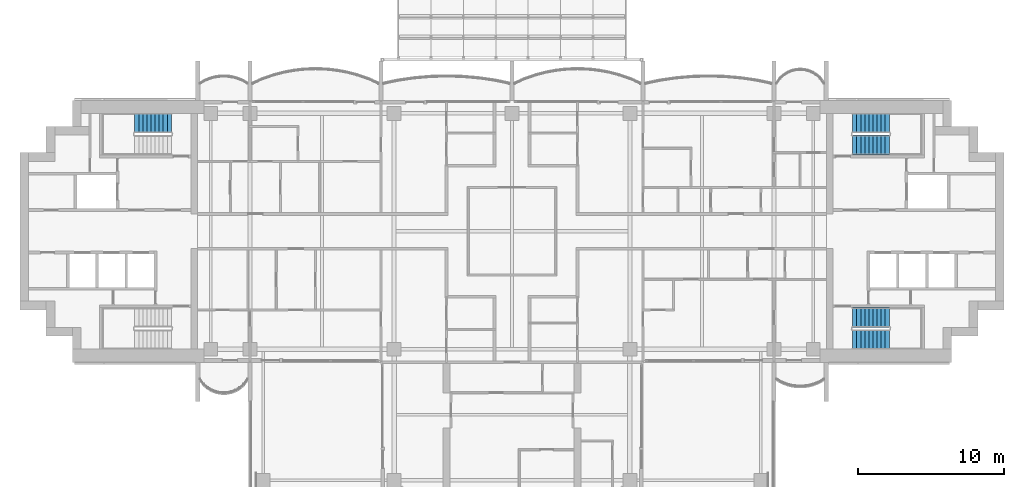
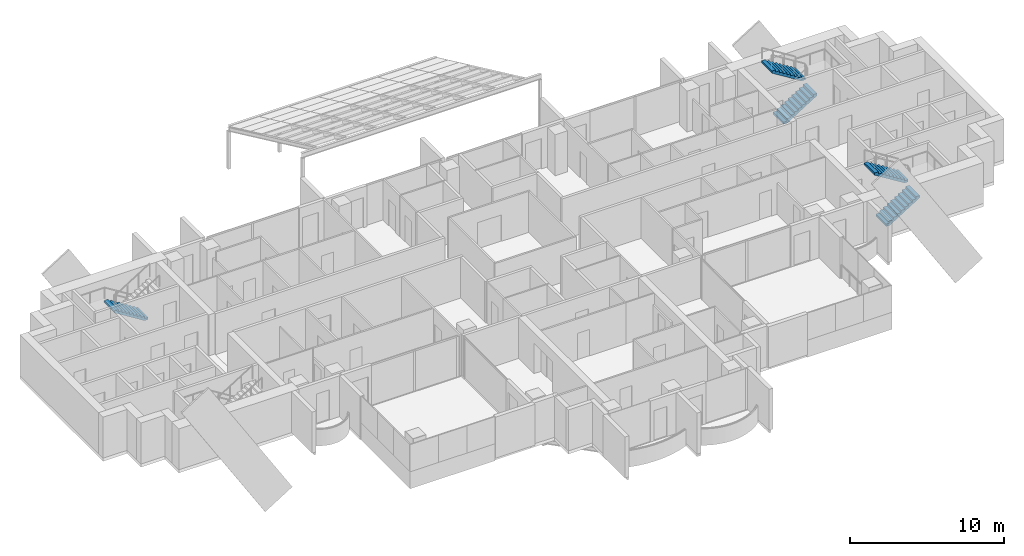
# One storey, part 16 of 20: 5 stair flights, 3 elements without a shape of their own.
"""IFC4 building model written with IfcOpenShell, lengths in metres."""

from ifc_helpers import new_model, si_unit, direction, frame, origin, place, context, subcontext, project, spatial, polyline, outline, extrude, material, type_object, element, aggregate, save


model = new_model("IFC4")

# Units and contexts
model_context = context("Model", 3, precision=1e-05, world=origin(), true_north=direction((0.0, 1.0)))
body_context = subcontext(model_context, "Body", "Model", "MODEL_VIEW")
ifc_project = project(units=[si_unit("LENGTHUNIT", "METRE"), si_unit("AREAUNIT", "SQUARE_METRE"), si_unit("VOLUMEUNIT", "CUBIC_METRE"), si_unit("PLANEANGLEUNIT", "RADIAN"), si_unit("MASSUNIT", "GRAM", prefix="KILO")], contexts=[model_context])

# Site, building, storey
site_placement = place(None, origin())
site = spatial("IfcSite", under=ifc_project, at=site_placement, CompositionType="ELEMENT")
building_placement = place(site_placement, origin())
building = spatial("IfcBuilding", under=site, at=building_placement, Name="Perihelion Cross Residences", CompositionType="ELEMENT")
storey_placement = place(building_placement, frame((0.0, 0.0, 170.10009765625)))
storey = spatial("IfcBuildingStorey", under=building, at=storey_placement, Name="L41", CompositionType="ELEMENT", Elevation=170.10009765625)

# Stair, stair flights
ifc_material_1 = material(Name="Concrete C40/50", Category="concrete")
stair_type = type_object("IfcStairType", Name="Exit stair, half-turn", PredefinedType="HALF_TURN_STAIR", material=ifc_material_1)
stair_1_placement = place(storey_placement, origin())
stair_1 = element("IfcStair", 1, at=stair_1_placement, inside=storey, type_object=stair_type, Name="L41 East core exit stair 1", PredefinedType="HALF_TURN_STAIR")
ifc_material_2 = material(Name="Concrete C40/50", Category="concrete")
stair_flight_type = type_object("IfcStairFlightType", Name="Exit stair flight", PredefinedType="STRAIGHT", material=ifc_material_2)
stair_flight_1_placement = place(storey_placement, frame((23.39990234375, 5.925048828125, 0.0), z_axis=(0.0, 0.0, 1.0), x_axis=(1.0, 0.0, 0.0)))
stair_flight_1 = element("IfcStairFlight", 2, at=stair_flight_1_placement, type_object=stair_flight_type, Name="ST-E1 flight 1", NumberOfRisers=10, NumberOfTreads=9, PredefinedType="STRAIGHT", RiserHeight=0.175, TreadLength=0.28, context=body_context, shape_type="SweptSolid", body=[
    extrude(outline(polyline([(0.0, 0.0), (0.0, 0.175048828125), (0.280029296875, 0.175048828125), (0.280029296875, 0.35009765625), (0.56005859375, 0.35009765625), (0.56005859375, 0.52490234375), (0.840087890625, 0.52490234375), (0.840087890625, 0.699951171875), (1.1201171875, 0.699951171875), (1.1201171875, 0.875), (1.39990234375, 0.875), (1.39990234375, 1.050048828125), (1.679931640625, 1.050048828125), (1.679931640625, 1.22509765625), (1.9599609375, 1.22509765625), (1.9599609375, 1.39990234375), (2.239990234375, 1.39990234375), (2.239990234375, 1.574951171875), (2.52001953125, 1.574951171875), (2.52001953125, 1.75), (2.52001953125, 1.398193359375), (0.28271484375, 0.0), (0.0, 0.0)])), frame((0.0, 0.675048828125, 0.0), z_axis=(0.0, -1.0, 0.0), x_axis=(1.0, 0.0, 0.0)), (0.0, 0.0, 1.0), 1.35009765625),
])
stair_flight_2_placement = place(storey_placement, frame((25.919921875, 7.425048828125, 1.75), z_axis=(0.0, 0.0, 1.0), x_axis=(-1.0, 0.0, 0.0)))
stair_flight_2 = element("IfcStairFlight", 3, at=stair_flight_2_placement, type_object=stair_flight_type, Name="ST-E1 flight 2", NumberOfRisers=10, NumberOfTreads=9, PredefinedType="STRAIGHT", RiserHeight=0.175, TreadLength=0.28, context=body_context, shape_type="SweptSolid", body=[
    extrude(outline(polyline([(0.0, 0.0), (0.0, 0.175048828125), (0.280029296875, 0.175048828125), (0.280029296875, 0.35009765625), (0.56005859375, 0.35009765625), (0.56005859375, 0.52490234375), (0.840087890625, 0.52490234375), (0.840087890625, 0.699951171875), (1.1201171875, 0.699951171875), (1.1201171875, 0.875), (1.39990234375, 0.875), (1.39990234375, 1.050048828125), (1.679931640625, 1.050048828125), (1.679931640625, 1.22509765625), (1.9599609375, 1.22509765625), (1.9599609375, 1.39990234375), (2.239990234375, 1.39990234375), (2.239990234375, 1.574951171875), (2.52001953125, 1.574951171875), (2.52001953125, 1.75), (2.52001953125, 1.398193359375), (0.28271484375, 0.0), (0.0, 0.0)])), frame((0.0, 0.675048828125, 0.0), z_axis=(0.0, -1.0, 0.0), x_axis=(1.0, 0.0, 0.0)), (0.0, 0.0, 1.0), 1.35009765625),
])
aggregate(stair_1, [stair_flight_1, stair_flight_2])

stair_2_placement = place(storey_placement, origin())
stair_2 = element("IfcStair", 4, at=stair_2_placement, inside=storey, type_object=stair_type, Name="L41 East core exit stair 2", PredefinedType="HALF_TURN_STAIR")
stair_flight_3_placement = place(storey_placement, frame((23.39990234375, -7.425048828125, 0.0), z_axis=(0.0, 0.0, 1.0), x_axis=(1.0, 0.0, 0.0)))
stair_flight_3 = element("IfcStairFlight", 5, at=stair_flight_3_placement, type_object=stair_flight_type, Name="ST-E2 flight 1", NumberOfRisers=10, NumberOfTreads=9, PredefinedType="STRAIGHT", RiserHeight=0.175, TreadLength=0.28, context=body_context, shape_type="SweptSolid", body=[
    extrude(outline(polyline([(0.0, 0.0), (0.0, 0.175048828125), (0.280029296875, 0.175048828125), (0.280029296875, 0.35009765625), (0.56005859375, 0.35009765625), (0.56005859375, 0.52490234375), (0.840087890625, 0.52490234375), (0.840087890625, 0.699951171875), (1.1201171875, 0.699951171875), (1.1201171875, 0.875), (1.39990234375, 0.875), (1.39990234375, 1.050048828125), (1.679931640625, 1.050048828125), (1.679931640625, 1.22509765625), (1.9599609375, 1.22509765625), (1.9599609375, 1.39990234375), (2.239990234375, 1.39990234375), (2.239990234375, 1.574951171875), (2.52001953125, 1.574951171875), (2.52001953125, 1.75), (2.52001953125, 1.398193359375), (0.28271484375, 0.0), (0.0, 0.0)])), frame((0.0, 0.675048828125, 0.0), z_axis=(0.0, -1.0, 0.0), x_axis=(1.0, 0.0, 0.0)), (0.0, 0.0, 1.0), 1.35009765625),
])
stair_flight_4_placement = place(storey_placement, frame((25.919921875, -5.925048828125, 1.75), z_axis=(0.0, 0.0, 1.0), x_axis=(-1.0, 0.0, 0.0)))
stair_flight_4 = element("IfcStairFlight", 6, at=stair_flight_4_placement, type_object=stair_flight_type, Name="ST-E2 flight 2", NumberOfRisers=10, NumberOfTreads=9, PredefinedType="STRAIGHT", RiserHeight=0.175, TreadLength=0.28, context=body_context, shape_type="SweptSolid", body=[
    extrude(outline(polyline([(0.0, 0.0), (0.0, 0.175048828125), (0.280029296875, 0.175048828125), (0.280029296875, 0.35009765625), (0.56005859375, 0.35009765625), (0.56005859375, 0.52490234375), (0.840087890625, 0.52490234375), (0.840087890625, 0.699951171875), (1.1201171875, 0.699951171875), (1.1201171875, 0.875), (1.39990234375, 0.875), (1.39990234375, 1.050048828125), (1.679931640625, 1.050048828125), (1.679931640625, 1.22509765625), (1.9599609375, 1.22509765625), (1.9599609375, 1.39990234375), (2.239990234375, 1.39990234375), (2.239990234375, 1.574951171875), (2.52001953125, 1.574951171875), (2.52001953125, 1.75), (2.52001953125, 1.398193359375), (0.28271484375, 0.0), (0.0, 0.0)])), frame((0.0, 0.675048828125, 0.0), z_axis=(0.0, -1.0, 0.0), x_axis=(1.0, 0.0, 0.0)), (0.0, 0.0, 1.0), 1.35009765625),
])
aggregate(stair_2, [stair_flight_3, stair_flight_4])

# Stair, stair flight
stair_3_placement = place(storey_placement, origin())
stair_3 = element("IfcStair", 7, at=stair_3_placement, inside=storey, type_object=stair_type, Name="L41 West core exit stair 1", PredefinedType="HALF_TURN_STAIR")
stair_flight_5_placement = place(storey_placement, frame((-23.39990234375, 7.425048828125, 0.0), z_axis=(0.0, 0.0, 1.0), x_axis=(-1.0, 0.0, 0.0)))
stair_flight_5 = element("IfcStairFlight", 8, at=stair_flight_5_placement, type_object=stair_flight_type, Name="ST-W1 flight 1", NumberOfRisers=10, NumberOfTreads=9, PredefinedType="STRAIGHT", RiserHeight=0.175, TreadLength=0.28, context=body_context, shape_type="SweptSolid", body=[
    extrude(outline(polyline([(0.0, 0.0), (0.0, 0.175048828125), (0.280029296875, 0.175048828125), (0.280029296875, 0.35009765625), (0.56005859375, 0.35009765625), (0.56005859375, 0.52490234375), (0.840087890625, 0.52490234375), (0.840087890625, 0.699951171875), (1.1201171875, 0.699951171875), (1.1201171875, 0.875), (1.39990234375, 0.875), (1.39990234375, 1.050048828125), (1.679931640625, 1.050048828125), (1.679931640625, 1.22509765625), (1.9599609375, 1.22509765625), (1.9599609375, 1.39990234375), (2.239990234375, 1.39990234375), (2.239990234375, 1.574951171875), (2.52001953125, 1.574951171875), (2.52001953125, 1.75), (2.52001953125, 1.398193359375), (0.28271484375, 0.0), (0.0, 0.0)])), frame((0.0, 0.675048828125, 0.0), z_axis=(0.0, -1.0, 0.0), x_axis=(1.0, 0.0, 0.0)), (0.0, 0.0, 1.0), 1.35009765625),
])
aggregate(stair_3, [stair_flight_5])

save(model, "model.ifc")
